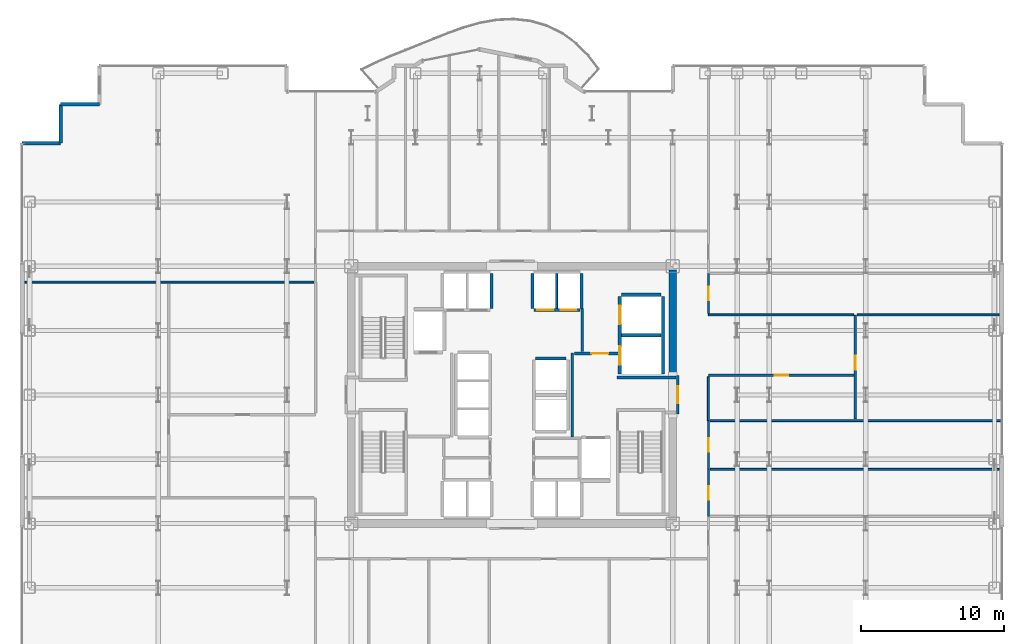
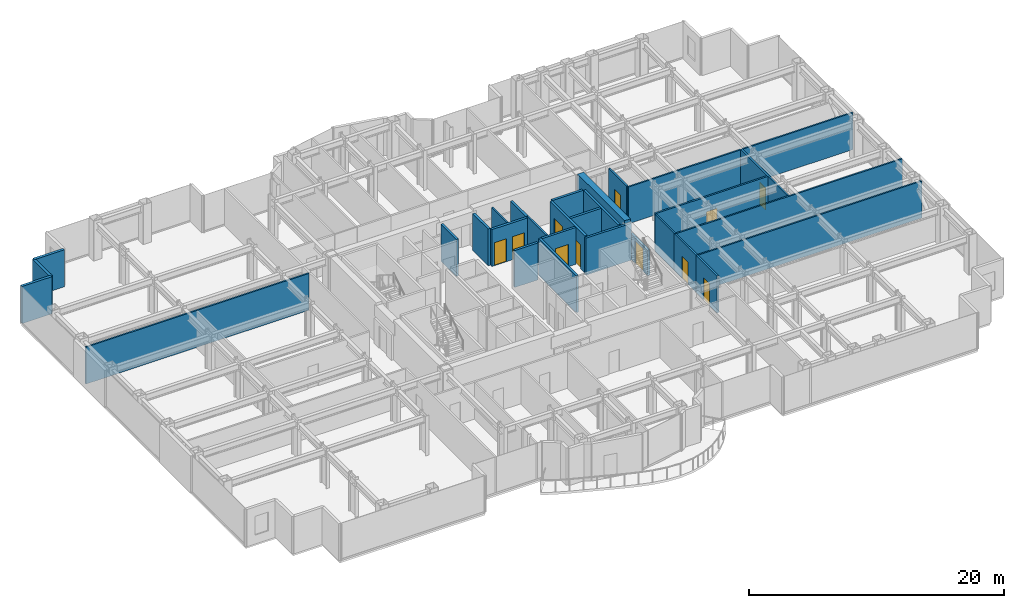
# One storey, part 25 of 29: 30 walls, 11 doors, 11 openings.
"""IFC4 building model written with IfcOpenShell, lengths in metres."""

from ifc_helpers import new_model, si_unit, direction, frame, frame_2d, origin, place, context, subcontext, project, spatial, rectangle, extrude, source, transform, mapped, material, layer, layer_set, type_object, element, fill, save


model = new_model("IFC4")

# Units and contexts
model_context = context("Model", 3, precision=1e-05, world=origin(), true_north=direction((0.0, 1.0)))
body_context = subcontext(model_context, "Body", "Model", "MODEL_VIEW")
ifc_project = project(units=[si_unit("LENGTHUNIT", "METRE"), si_unit("AREAUNIT", "SQUARE_METRE"), si_unit("VOLUMEUNIT", "CUBIC_METRE"), si_unit("PLANEANGLEUNIT", "RADIAN"), si_unit("MASSUNIT", "GRAM", prefix="KILO")], contexts=[model_context])

# Site, building, storey
site_placement = place(None, origin())
site = spatial("IfcSite", under=ifc_project, at=site_placement, CompositionType="ELEMENT")
building_placement = place(site_placement, origin())
building = spatial("IfcBuilding", under=site, at=building_placement, Name="Nefas-Gora Pilgrimage Tower", CompositionType="ELEMENT")
storey_placement = place(building_placement, frame((0.0, 0.0, 136.39990234375)))
storey = spatial("IfcBuildingStorey", under=building, at=storey_placement, Name="L33", CompositionType="ELEMENT", Elevation=136.39990234375)

# Walls
ifc_material_1 = material(Name="Concrete C60/75", Category="concrete")
ifc_layer_1 = layer(ifc_material_1, 0.550048828125)
ifc_layer_set_1 = layer_set([ifc_layer_1], Name="Concrete C60/75")
wall_type_1 = type_object("IfcWallType", Name="SW-CORE-550", PredefinedType="SHEAR", material=ifc_layer_set_1)
shared_shape_1 = source(origin(), body_context, "Body", "SweptSolid", [
    extrude(rectangle(XDim=7.375, YDim=0.550048828125, at=frame_2d((3.6875, 0.0))), origin(), (0.0, 0.0, 1.0), 3.800048828125),
])
wall_1_placement = place(storey_placement, frame((11.25, 1.35009765625, 0.0), z_axis=(0.0, 0.0, 1.0), x_axis=(0.0, 1.0, 0.0)))
element("IfcWall", 1, at=wall_1_placement, inside=storey, type_object=wall_type_1, Name="L33 Core Shear Wall E-North", PredefinedType="SHEAR", context=body_context, shape_type="MappedRepresentation", body=[
    mapped(shared_shape_1, transform((0.0, 0.0, 0.0), x_axis=(1.0, 0.0, 0.0), y_axis=(0.0, 1.0, 0.0), z_axis=(0.0, 0.0, 1.0), scale=1.0)),
])
ifc_material_2 = material(Name="Precast concrete C45/55", Category="concrete")
ifc_layer_2 = layer(ifc_material_2, 0.239990234375)
ifc_layer_set_2 = layer_set([ifc_layer_2], Name="Precast concrete C45/55")
wall_type_2 = type_object("IfcWallType", Name="EW-SERR-240", PredefinedType="SHEAR", material=ifc_layer_set_2)
shared_shape_2 = source(origin(), body_context, "Body", "SweptSolid", [
    extrude(rectangle(XDim=2.699951171875, YDim=0.239990234375, at=frame_2d((1.35009765625, 0.0))), origin(), (0.0, 0.0, 1.0), 3.550048828125),
])
for number, where, z_axis, x_axis, name in (
    (2, (-28.8701171875, 20.320068359375, 0.0), (0.0, 0.0, 1.0), (-1.0, 0.0, 0.0), "L33 Serrated Corner Shear Pier Wall 26"),
    (3, (-31.570068359375, 20.320068359375, 0.0), (0.0, 0.0, 1.0), (0.0, -1.0, 0.0), "L33 Serrated Corner Shear Pier Wall 27"),
    (4, (-31.570068359375, 17.6201171875, 0.0), (0.0, 0.0, 1.0), (-1.0, 0.0, 0.0), "L33 Serrated Corner Shear Pier Wall 28"),
):
    element("IfcWall", number, at=place(storey_placement, frame(where, z_axis=z_axis, x_axis=x_axis)), inside=storey, type_object=wall_type_2, Name=name, PredefinedType="SHEAR", context=body_context, shape_type="MappedRepresentation", body=[
        mapped(shared_shape_2, transform((0.0, 0.0, 0.0), x_axis=(1.0, 0.0, 0.0), y_axis=(0.0, 1.0, 0.0), z_axis=(0.0, 0.0, 1.0), scale=1.0)),
    ])

# Wall, openings, doors
ifc_material_3 = material(Name="Concrete C40/50", Category="concrete")
ifc_layer_3 = layer(ifc_material_3, 0.219970703125)
ifc_layer_set_3 = layer_set([ifc_layer_3], Name="Concrete C40/50")
wall_type_3 = type_object("IfcWallType", Name="IW-SHAFT-220", PredefinedType="SOLIDWALL", material=ifc_layer_set_3)
shared_shape_3 = source(origin(), body_context, "Body", "SweptSolid", [
    extrude(rectangle(XDim=5.449951171875, YDim=0.219970703125, at=frame_2d((2.72509765625, 0.0))), origin(), (0.0, 0.0, 1.0), 3.53515625),
])
wall_2_placement = place(storey_placement, frame((7.5400390625, 6.89990234375, 0.0), z_axis=(0.0, 0.0, 1.0), x_axis=(0.0, -1.0, 0.0)))
wall_2 = element("IfcWall", 5, at=wall_2_placement, inside=storey, type_object=wall_type_3, Name="L33 Hoistway Wall SL-01-02-W", PredefinedType="SOLIDWALL", context=body_context, shape_type="MappedRepresentation", body=[
    mapped(shared_shape_3, transform((0.0, 0.0, 0.0), x_axis=(1.0, 0.0, 0.0), y_axis=(0.0, 1.0, 0.0), z_axis=(0.0, 0.0, 1.0), scale=1.0)),
])
opening_1_placement = place(wall_2_placement, frame((3.5, 0.0, 0.0)))
opening_1 = element("IfcOpeningElement", 6, at=opening_1_placement, cuts=wall_2, Name="Opening LD-SV", PredefinedType="OPENING", context=body_context, shape_type="SweptSolid", body=[
    extrude(rectangle(XDim=1.300048828125, YDim=2.300048828125, at=frame_2d((0.64990234375, 1.14990234375))), frame((0.0, 0.119873046875, 0.0), z_axis=(0.0, -1.0, 0.0), x_axis=(1.0, 0.0, 0.0)), (0.0, 0.0, 1.0), 0.239990234375),
])
opening_2_placement = place(wall_2_placement, frame((0.64990234375, 0.0, 0.0)))
opening_2 = element("IfcOpeningElement", 7, at=opening_2_placement, cuts=wall_2, Name="Opening LD-SV", PredefinedType="OPENING", context=body_context, shape_type="SweptSolid", body=[
    extrude(rectangle(XDim=1.300048828125, YDim=2.300048828125, at=frame_2d((0.64990234375, 1.14990234375))), frame((0.0, 0.119873046875, 0.0), z_axis=(0.0, -1.0, 0.0), x_axis=(1.0, 0.0, 0.0)), (0.0, 0.0, 1.0), 0.239990234375),
])
ifc_material_4 = material(Name="Heavy goods sliding lift landing door")
door_type_1 = type_object("IfcDoorType", Name="DR-LIFT-SERV-1300", OperationType="SLIDING_TO_RIGHT", PredefinedType="DOOR", material=ifc_material_4)
shared_shape_4 = source(origin(), body_context, "Body", "SweptSolid", [
    extrude(rectangle(XDim=1.300048828125, YDim=2.300048828125, at=frame_2d((0.64990234375, 1.14990234375))), frame((0.0, 0.02490234375, 0.0), z_axis=(0.0, -1.0, 0.0), x_axis=(1.0, 0.0, 0.0)), (0.0, 0.0, 1.0), 0.050048828125),
])
door_1_placement = place(opening_1_placement, origin())
door_1 = element("IfcDoor", 8, at=door_1_placement, inside=storey, type_object=door_type_1, Name="L33 Sliding Lift Landing Door SL-01", OperationType="SLIDING_TO_RIGHT", OverallHeight=2.300048828125, OverallWidth=1.300048828125, PredefinedType="DOOR", context=body_context, shape_type="MappedRepresentation", body=[
    mapped(shared_shape_4, transform((0.0, 0.0, 0.0), x_axis=(1.0, 0.0, 0.0), y_axis=(0.0, 1.0, 0.0), z_axis=(0.0, 0.0, 1.0), scale=1.0)),
])
fill(opening_1, door_1)
door_2_placement = place(opening_2_placement, origin())
door_2 = element("IfcDoor", 9, at=door_2_placement, inside=storey, type_object=door_type_1, Name="L33 Sliding Lift Landing Door SL-02", OperationType="SLIDING_TO_RIGHT", OverallHeight=2.300048828125, OverallWidth=1.300048828125, PredefinedType="DOOR", context=body_context, shape_type="MappedRepresentation", body=[
    mapped(shared_shape_4, transform((0.0, 0.0, 0.0), x_axis=(1.0, 0.0, 0.0), y_axis=(0.0, 1.0, 0.0), z_axis=(0.0, 0.0, 1.0), scale=1.0)),
])
fill(opening_2, door_2)

# Walls
wall_3_placement = place(storey_placement, frame((10.56005859375, 1.449951171875, 0.0), z_axis=(0.0, 0.0, 1.0), x_axis=(0.0, 1.0, 0.0)))
element("IfcWall", 10, at=wall_3_placement, inside=storey, type_object=wall_type_3, Name="L33 Hoistway Wall SL-01-02-E", PredefinedType="SOLIDWALL", context=body_context, shape_type="MappedRepresentation", body=[
    mapped(shared_shape_3, transform((0.0, 0.0, 0.0), x_axis=(1.0, 0.0, 0.0), y_axis=(0.0, 1.0, 0.0), z_axis=(0.0, 0.0, 1.0), scale=1.0)),
])
shared_shape_5 = source(origin(), body_context, "Body", "SweptSolid", [
    extrude(rectangle(XDim=2.780029296875, YDim=0.219970703125, at=frame_2d((1.39013671875, 0.0))), origin(), (0.0, 0.0, 1.0), 3.53515625),
])
for number, where, z_axis, x_axis, name in (
    (11, (7.659912109375, 4.175048828125, 0.0), (0.0, 0.0, 1.0), (1.0, 0.0, 0.0), "L33 Hoistway Wall SL-01-02-DIV"),
    (12, (10.43994140625, 7.010009765625, 0.0), (0.0, 0.0, 1.0), (-1.0, 0.0, 0.0), "L33 Hoistway Wall SL-02-N"),
):
    element("IfcWall", number, at=place(storey_placement, frame(where, z_axis=z_axis, x_axis=x_axis)), inside=storey, type_object=wall_type_3, Name=name, PredefinedType="SOLIDWALL", context=body_context, shape_type="MappedRepresentation", body=[
        mapped(shared_shape_5, transform((0.0, 0.0, 0.0), x_axis=(1.0, 0.0, 0.0), y_axis=(0.0, 1.0, 0.0), z_axis=(0.0, 0.0, 1.0), scale=1.0)),
    ])

# Wall, openings, doors
shared_shape_6 = source(origin(), body_context, "Body", "SweptSolid", [
    extrude(rectangle(XDim=3.199951171875, YDim=0.219970703125, at=frame_2d((1.60009765625, 0.0))), origin(), (0.0, 0.0, 1.0), 3.53515625),
])
wall_4_placement = place(storey_placement, frame((1.550048828125, 5.93994140625, 0.0), z_axis=(0.0, 0.0, 1.0), x_axis=(1.0, 0.0, 0.0)))
wall_4 = element("IfcWall", 13, at=wall_4_placement, inside=storey, type_object=wall_type_3, Name="L33 Hoistway Wall PL1-E-S", PredefinedType="SOLIDWALL", context=body_context, shape_type="MappedRepresentation", body=[
    mapped(shared_shape_6, transform((0.0, 0.0, 0.0), x_axis=(1.0, 0.0, 0.0), y_axis=(0.0, 1.0, 0.0), z_axis=(0.0, 0.0, 1.0), scale=1.0)),
])
opening_3_placement = place(wall_4_placement, frame((0.22509765625, 0.0, 0.0)))
opening_3 = element("IfcOpeningElement", 14, at=opening_3_placement, cuts=wall_4, Name="Opening LD-01", PredefinedType="OPENING", context=body_context, shape_type="SweptSolid", body=[
    extrude(rectangle(XDim=1.10009765625, YDim=2.199951171875, at=frame_2d((0.550048828125, 1.10009765625))), frame((0.0, 0.119873046875, 0.0), z_axis=(0.0, -1.0, 0.0), x_axis=(1.0, 0.0, 0.0)), (0.0, 0.0, 1.0), 0.239990234375),
])
opening_4_placement = place(wall_4_placement, frame((1.85009765625, 0.0, 0.0)))
opening_4 = element("IfcOpeningElement", 15, at=opening_4_placement, cuts=wall_4, Name="Opening LD-01", PredefinedType="OPENING", context=body_context, shape_type="SweptSolid", body=[
    extrude(rectangle(XDim=1.10009765625, YDim=2.199951171875, at=frame_2d((0.550048828125, 1.10009765625))), frame((0.0, 0.119873046875, 0.0), z_axis=(0.0, -1.0, 0.0), x_axis=(1.0, 0.0, 0.0)), (0.0, 0.0, 1.0), 0.239990234375),
])
ifc_material_5 = material(Name="Brushed stainless sliding lift landing door")
door_type_2 = type_object("IfcDoorType", Name="DR-LIFT-PASS-1100", OperationType="DOUBLE_DOOR_SLIDING", PredefinedType="DOOR", material=ifc_material_5)
shared_shape_7 = source(origin(), body_context, "Body", "SweptSolid", [
    extrude(rectangle(XDim=1.10009765625, YDim=2.199951171875, at=frame_2d((0.550048828125, 1.10009765625))), frame((0.0, 0.02490234375, 0.0), z_axis=(0.0, -1.0, 0.0), x_axis=(1.0, 0.0, 0.0)), (0.0, 0.0, 1.0), 0.050048828125),
])
door_3_placement = place(opening_3_placement, origin())
door_3 = element("IfcDoor", 16, at=door_3_placement, inside=storey, type_object=door_type_2, Name="L33 Sliding Lift Landing Door PL1-03", OperationType="DOUBLE_DOOR_SLIDING", OverallHeight=2.199951171875, OverallWidth=1.10009765625, PredefinedType="DOOR", context=body_context, shape_type="MappedRepresentation", body=[
    mapped(shared_shape_7, transform((0.0, 0.0, 0.0), x_axis=(1.0, 0.0, 0.0), y_axis=(0.0, 1.0, 0.0), z_axis=(0.0, 0.0, 1.0), scale=1.0)),
])
fill(opening_3, door_3)
door_4_placement = place(opening_4_placement, origin())
door_4 = element("IfcDoor", 17, at=door_4_placement, inside=storey, type_object=door_type_2, Name="L33 Sliding Lift Landing Door PL1-04", OperationType="DOUBLE_DOOR_SLIDING", OverallHeight=2.199951171875, OverallWidth=1.10009765625, PredefinedType="DOOR", context=body_context, shape_type="MappedRepresentation", body=[
    mapped(shared_shape_7, transform((0.0, 0.0, 0.0), x_axis=(1.0, 0.0, 0.0), y_axis=(0.0, 1.0, 0.0), z_axis=(0.0, 0.0, 1.0), scale=1.0)),
])
fill(opening_4, door_4)

# Walls
shared_shape_8 = source(origin(), body_context, "Body", "SweptSolid", [
    extrude(rectangle(XDim=2.429931640625, YDim=0.219970703125, at=frame_2d((1.21484375, 0.0))), origin(), (0.0, 0.0, 1.0), 3.53515625),
])
for number, where, z_axis, x_axis, name in (
    (18, (-1.43994140625, 6.06005859375, 0.0), (0.0, 0.0, 1.0), (0.0, 1.0, 0.0), "L33 Hoistway Wall PL1-W-E"),
    (19, (1.43994140625, 8.489990234375, 0.0), (0.0, 0.0, 1.0), (0.0, -1.0, 0.0), "L33 Hoistway Wall PL1-E-W"),
    (20, (4.860107421875, 6.06005859375, 0.0), (0.0, 0.0, 1.0), (0.0, 1.0, 0.0), "L33 Hoistway Wall PL1-E-E"),
):
    element("IfcWall", number, at=place(storey_placement, frame(where, z_axis=z_axis, x_axis=x_axis)), inside=storey, type_object=wall_type_3, Name=name, PredefinedType="SOLIDWALL", context=body_context, shape_type="MappedRepresentation", body=[
        mapped(shared_shape_8, transform((0.0, 0.0, 0.0), x_axis=(1.0, 0.0, 0.0), y_axis=(0.0, 1.0, 0.0), z_axis=(0.0, 0.0, 1.0), scale=1.0)),
    ])
ifc_material_6 = material(Name="Gypsum twin-stud partition")
ifc_layer_4 = layer(ifc_material_6, 0.139892578125)
ifc_layer_set_4 = layer_set([ifc_layer_4], Name="Gypsum twin-stud partition")
wall_type_4 = type_object("IfcWallType", Name="IW-UNIT-140", PredefinedType="PARTITIONING", material=ifc_layer_set_4)
shared_shape_9 = source(origin(), body_context, "Body", "SweptSolid", [
    extrude(rectangle(XDim=2.429931640625, YDim=0.139892578125, at=frame_2d((1.21484375, 0.0))), origin(), (0.0, 0.0, 1.0), 3.53515625),
])
wall_5_placement = place(storey_placement, frame((3.125, 6.06005859375, 0.0), z_axis=(0.0, 0.0, 1.0), x_axis=(0.0, 1.0, 0.0)))
element("IfcWall", 21, at=wall_5_placement, inside=storey, type_object=wall_type_4, Name="L33 Hoistway Wall PL1-E-DIV", PredefinedType="PARTITIONING", context=body_context, shape_type="MappedRepresentation", body=[
    mapped(shared_shape_9, transform((0.0, 0.0, 0.0), x_axis=(1.0, 0.0, 0.0), y_axis=(0.0, 1.0, 0.0), z_axis=(0.0, 0.0, 1.0), scale=1.0)),
])
shared_shape_10 = source(origin(), body_context, "Body", "SweptSolid", [
    extrude(rectangle(XDim=2.130126953125, YDim=0.219970703125, at=frame_2d((1.06494140625, 0.0))), origin(), (0.0, 0.0, 1.0), 3.53515625),
])
wall_6_placement = place(storey_placement, frame((3.7900390625, 2.56005859375, 0.0), z_axis=(0.0, 0.0, 1.0), x_axis=(-1.0, 0.0, 0.0)))
element("IfcWall", 22, at=wall_6_placement, inside=storey, type_object=wall_type_3, Name="L33 Hoistway Wall OBS-02-N", PredefinedType="SOLIDWALL", context=body_context, shape_type="MappedRepresentation", body=[
    mapped(shared_shape_10, transform((0.0, 0.0, 0.0), x_axis=(1.0, 0.0, 0.0), y_axis=(0.0, 1.0, 0.0), z_axis=(0.0, 0.0, 1.0), scale=1.0)),
])

# Wall, opening, door
ifc_material_7 = material(Name="Gypsum fire-rated shaftwall")
ifc_layer_5 = layer(ifc_material_7, 0.199951171875)
ifc_layer_set_5 = layer_set([ifc_layer_5], Name="Gypsum fire-rated shaftwall")
wall_type_5 = type_object("IfcWallType", Name="IW-FFLOB-200", PredefinedType="PARTITIONING", material=ifc_layer_set_5)
shared_shape_11 = source(origin(), body_context, "Body", "SweptSolid", [
    extrude(rectangle(XDim=2.7001953125, YDim=0.199951171875, at=frame_2d((1.35009765625, 0.0))), origin(), (0.0, 0.0, 1.0), 2.425048828125),
])
wall_7_placement = place(storey_placement, frame((11.60009765625, -1.35009765625, 0.0), z_axis=(0.0, 0.0, 1.0), x_axis=(0.0, 1.0, 0.0)))
wall_7 = element("IfcWall", 23, at=wall_7_placement, inside=storey, type_object=wall_type_5, Name="L33 FF Lobby East Portal Wall 8", PredefinedType="PARTITIONING", context=body_context, shape_type="MappedRepresentation", body=[
    mapped(shared_shape_11, transform((0.0, 0.0, 0.0), x_axis=(1.0, 0.0, 0.0), y_axis=(0.0, 1.0, 0.0), z_axis=(0.0, 0.0, 1.0), scale=1.0)),
])
opening_5_placement = place(wall_7_placement, frame((0.75, 0.0, 0.0)))
opening_5 = element("IfcOpeningElement", 24, at=opening_5_placement, cuts=wall_7, Name="Opening ID-FF1", PredefinedType="OPENING", context=body_context, shape_type="SweptSolid", body=[
    extrude(rectangle(XDim=1.199951171875, YDim=2.14990234375, at=frame_2d((0.60009765625, 1.074951171875))), frame((0.0, 0.10986328125, 0.0), z_axis=(0.0, -1.0, 0.0), x_axis=(1.0, 0.0, 0.0)), (0.0, 0.0, 1.0), 0.219970703125),
])
ifc_material_8 = material(Name="Smoke-sealed steel firefighting lobby door", Category="steel")
door_type_3 = type_object("IfcDoorType", Name="DR-INT-FFLOB-1200", OperationType="NOTDEFINED", PredefinedType="DOOR", material=ifc_material_8)
shared_shape_12 = source(origin(), body_context, "Body", "SweptSolid", [
    extrude(rectangle(XDim=1.199951171875, YDim=2.14990234375, at=frame_2d((0.60009765625, 1.074951171875))), frame((0.0, 0.02490234375, 0.0), z_axis=(0.0, -1.0, 0.0), x_axis=(1.0, 0.0, 0.0)), (0.0, 0.0, 1.0), 0.050048828125),
])
door_5_placement = place(opening_5_placement, origin())
door_5 = element("IfcDoor", 25, at=door_5_placement, inside=storey, type_object=door_type_3, Name="L33 FF Lobby East Portal Door 2", OperationType="SINGLE_SWING_RIGHT", OverallHeight=2.14990234375, OverallWidth=1.199951171875, PredefinedType="DOOR", context=body_context, shape_type="MappedRepresentation", body=[
    mapped(shared_shape_12, transform((0.0, 0.0, 0.0), x_axis=(1.0, 0.0, 0.0), y_axis=(0.0, 1.0, 0.0), z_axis=(0.0, 0.0, 1.0), scale=1.0)),
])
fill(opening_5, door_5)

# Wall
shared_shape_13 = source(origin(), body_context, "Body", "SweptSolid", [
    extrude(rectangle(XDim=5.89990234375, YDim=0.199951171875, at=frame_2d((2.949951171875, 0.0))), origin(), (0.0, 0.0, 1.0), 3.53515625),
])
wall_8_placement = place(storey_placement, frame((4.219970703125, -2.949951171875, 0.0), z_axis=(0.0, 0.0, 1.0), x_axis=(0.0, 1.0, 0.0)))
element("IfcWall", 26, at=wall_8_placement, inside=storey, type_object=wall_type_5, Name="L33 FF Lobby East Inner Wall Wall 9", PredefinedType="PARTITIONING", context=body_context, shape_type="MappedRepresentation", body=[
    mapped(shared_shape_13, transform((0.0, 0.0, 0.0), x_axis=(1.0, 0.0, 0.0), y_axis=(0.0, 1.0, 0.0), z_axis=(0.0, 0.0, 1.0), scale=1.0)),
])

# Wall, opening, door
shared_shape_14 = source(origin(), body_context, "Body", "SweptSolid", [
    extrude(rectangle(XDim=3.039794921875, YDim=0.199951171875, at=frame_2d((1.52001953125, 0.0))), origin(), (0.0, 0.0, 1.0), 3.53515625),
])
wall_9_placement = place(storey_placement, frame((4.360107421875, 2.89990234375, 0.0), z_axis=(0.0, 0.0, 1.0), x_axis=(1.0, 0.0, 0.0)))
wall_9 = element("IfcWall", 27, at=wall_9_placement, inside=storey, type_object=wall_type_5, Name="L33 FF Lobby East North Wall Wall 10", PredefinedType="PARTITIONING", context=body_context, shape_type="MappedRepresentation", body=[
    mapped(shared_shape_14, transform((0.0, 0.0, 0.0), x_axis=(1.0, 0.0, 0.0), y_axis=(0.0, 1.0, 0.0), z_axis=(0.0, 0.0, 1.0), scale=1.0)),
])
opening_6_placement = place(wall_9_placement, frame((1.18994140625, 0.0, 0.0)))
opening_6 = element("IfcOpeningElement", 28, at=opening_6_placement, cuts=wall_9, Name="Opening ID-PL1", PredefinedType="OPENING", context=body_context, shape_type="SweptSolid", body=[
    extrude(rectangle(XDim=1.199951171875, YDim=2.14990234375, at=frame_2d((0.60009765625, 1.074951171875))), frame((0.0, 0.10986328125, 0.0), z_axis=(0.0, -1.0, 0.0), x_axis=(1.0, 0.0, 0.0)), (0.0, 0.0, 1.0), 0.219970703125),
])
ifc_material_9 = material(Name="Heavy-duty steel plant room fire door", Category="steel")
door_type_4 = type_object("IfcDoorType", Name="DR-INT-PLANT-1200", OperationType="NOTDEFINED", PredefinedType="DOOR", material=ifc_material_9)
door_6_placement = place(opening_6_placement, origin())
door_6 = element("IfcDoor", 29, at=door_6_placement, inside=storey, type_object=door_type_4, Name="L33 Service Lift Lobby Door Door 3", OperationType="SINGLE_SWING_LEFT", OverallHeight=2.14990234375, OverallWidth=1.199951171875, PredefinedType="DOOR", context=body_context, shape_type="MappedRepresentation", body=[
    mapped(shared_shape_12, transform((0.0, 0.0, 0.0), x_axis=(1.0, 0.0, 0.0), y_axis=(0.0, 1.0, 0.0), z_axis=(0.0, 0.0, 1.0), scale=1.0)),
])
fill(opening_6, door_6)

# Walls
shared_shape_15 = source(origin(), body_context, "Body", "SweptSolid", [
    extrude(rectangle(XDim=4.10986328125, YDim=0.199951171875, at=frame_2d((2.054931640625, 0.0))), origin(), (0.0, 0.0, 1.0), 3.53515625),
])
wall_10_placement = place(storey_placement, frame((7.35009765625, 1.219970703125, 0.0), z_axis=(0.0, 0.0, 1.0), x_axis=(1.0, 0.0, 0.0)))
element("IfcWall", 30, at=wall_10_placement, inside=storey, type_object=wall_type_5, Name="L33 FF Lobby East Throat N Wall 11", PredefinedType="PARTITIONING", context=body_context, shape_type="MappedRepresentation", body=[
    mapped(shared_shape_15, transform((0.0, 0.0, 0.0), x_axis=(1.0, 0.0, 0.0), y_axis=(0.0, 1.0, 0.0), z_axis=(0.0, 0.0, 1.0), scale=1.0)),
])
ifc_material_10 = material(Name="Gypsum acoustic stud partition")
ifc_layer_6 = layer(ifc_material_10, 0.159912109375)
ifc_layer_set_6 = layer_set([ifc_layer_6], Name="Gypsum acoustic stud partition")
wall_type_6 = type_object("IfcWallType", Name="IW-CORR-160", PredefinedType="PARTITIONING", material=ifc_layer_set_6)
shared_shape_16 = source(origin(), body_context, "Body", "SweptSolid", [
    extrude(rectangle(XDim=3.014892578125, YDim=0.159912109375, at=frame_2d((1.50732421875, 0.0))), origin(), (0.0, 0.0, 1.0), 3.53515625),
])
wall_11_placement = place(storey_placement, frame((4.919921875, 3.0400390625, 0.0), z_axis=(0.0, 0.0, 1.0), x_axis=(0.0, 1.0, 0.0)))
element("IfcWall", 31, at=wall_11_placement, inside=storey, type_object=wall_type_6, Name="L33 Service Lift Lobby West Wall Wall 15", PredefinedType="PARTITIONING", context=body_context, shape_type="MappedRepresentation", body=[
    mapped(shared_shape_16, transform((0.0, 0.0, 0.0), x_axis=(1.0, 0.0, 0.0), y_axis=(0.0, 1.0, 0.0), z_axis=(0.0, 0.0, 1.0), scale=1.0)),
])
shared_shape_17 = source(origin(), body_context, "Body", "SweptSolid", [
    extrude(rectangle(XDim=20.219970703125, YDim=0.139892578125, at=frame_2d((10.10986328125, 0.0))), origin(), (0.0, 0.0, 1.0), 3.53515625),
])
for number, where, z_axis, x_axis, name in (
    (32, (-34.080078125, 7.8974609375, 0.0), (0.0, 0.0, 1.0), (1.0, 0.0, 0.0), "L33 Pilgrim Devotional Prayer Gallery Partition Wall 31"),
    (33, (13.860107421875, -5.205078125, 0.0), (0.0, 0.0, 1.0), (1.0, 0.0, 0.0), "L33 Pilgrim Tea and Beverage Pantry Partition Wall 38"),
):
    element("IfcWall", number, at=place(storey_placement, frame(where, z_axis=z_axis, x_axis=x_axis)), inside=storey, type_object=wall_type_4, Name=name, PredefinedType="PARTITIONING", context=body_context, shape_type="MappedRepresentation", body=[
        mapped(shared_shape_17, transform((0.0, 0.0, 0.0), x_axis=(1.0, 0.0, 0.0), y_axis=(0.0, 1.0, 0.0), z_axis=(0.0, 0.0, 1.0), scale=1.0)),
    ])

# Wall, opening, door
shared_shape_18 = source(origin(), body_context, "Body", "SweptSolid", [
    extrude(rectangle(XDim=10.25, YDim=0.159912109375, at=frame_2d((5.125, 0.0))), origin(), (0.0, 0.0, 1.0), 3.53515625),
])
wall_12_placement = place(storey_placement, frame((13.72998046875, 1.3798828125, 0.0), z_axis=(0.0, 0.0, 1.0), x_axis=(1.0, 0.0, 0.0)))
wall_12 = element("IfcWall", 34, at=wall_12_placement, inside=storey, type_object=wall_type_6, Name="L33 Pilgrim Fellowship Seminar Room Partition Wall 41", PredefinedType="PARTITIONING", context=body_context, shape_type="MappedRepresentation", body=[
    mapped(shared_shape_18, transform((0.0, 0.0, 0.0), x_axis=(1.0, 0.0, 0.0), y_axis=(0.0, 1.0, 0.0), z_axis=(0.0, 0.0, 1.0), scale=1.0)),
])
opening_7_placement = place(wall_12_placement, frame((4.64990234375, 0.0, 0.0)))
opening_7 = element("IfcOpeningElement", 35, at=opening_7_placement, cuts=wall_12, Name="Opening ID-GR1", PredefinedType="OPENING", context=body_context, shape_type="SweptSolid", body=[
    extrude(rectangle(XDim=0.949951171875, YDim=2.10009765625, at=frame_2d((0.47509765625, 1.050048828125))), frame((0.0, 0.08984375, 0.0), z_axis=(0.0, -1.0, 0.0), x_axis=(1.0, 0.0, 0.0)), (0.0, 0.0, 1.0), 0.179931640625),
])
ifc_material_11 = material(Name="Solid core oak fire-rated guest entrance door")
door_type_5 = type_object("IfcDoorType", Name="DR-INT-GUEST-950", OperationType="NOTDEFINED", PredefinedType="DOOR", material=ifc_material_11)
shared_shape_19 = source(origin(), body_context, "Body", "SweptSolid", [
    extrude(rectangle(XDim=0.949951171875, YDim=2.10009765625, at=frame_2d((0.47509765625, 1.050048828125))), frame((0.0, 0.02490234375, 0.0), z_axis=(0.0, -1.0, 0.0), x_axis=(1.0, 0.0, 0.0)), (0.0, 0.0, 1.0), 0.050048828125),
])
door_7_placement = place(opening_7_placement, origin())
door_7 = element("IfcDoor", 36, at=door_7_placement, inside=storey, type_object=door_type_5, Name="L33 Pilgrim Fellowship Seminar Room Door 18", OperationType="SINGLE_SWING_RIGHT", OverallHeight=2.10009765625, OverallWidth=0.949951171875, PredefinedType="DOOR", context=body_context, shape_type="MappedRepresentation", body=[
    mapped(shared_shape_19, transform((0.0, 0.0, 0.0), x_axis=(1.0, 0.0, 0.0), y_axis=(0.0, 1.0, 0.0), z_axis=(0.0, 0.0, 1.0), scale=1.0)),
])
fill(opening_7, door_7)

# Walls
shared_shape_20 = source(origin(), body_context, "Body", "SweptSolid", [
    extrude(rectangle(XDim=10.169921875, YDim=0.139892578125, at=frame_2d((5.0849609375, 0.0))), origin(), (0.0, 0.0, 1.0), 3.53515625),
])
wall_13_placement = place(storey_placement, frame((13.72998046875, 5.594970703125, 0.0), z_axis=(0.0, 0.0, 1.0), x_axis=(1.0, 0.0, 0.0)))
element("IfcWall", 37, at=wall_13_placement, inside=storey, type_object=wall_type_4, Name="L33 Pilgrim Contemplative Lounge Partition Wall 44", PredefinedType="PARTITIONING", context=body_context, shape_type="MappedRepresentation", body=[
    mapped(shared_shape_20, transform((0.0, 0.0, 0.0), x_axis=(1.0, 0.0, 0.0), y_axis=(0.0, 1.0, 0.0), z_axis=(0.0, 0.0, 1.0), scale=1.0)),
])
shared_shape_21 = source(origin(), body_context, "Body", "SweptSolid", [
    extrude(rectangle(XDim=9.940185546875, YDim=0.139892578125, at=frame_2d((4.97021484375, 0.0))), origin(), (0.0, 0.0, 1.0), 3.53515625),
])
wall_14_placement = place(storey_placement, frame((24.139892578125, 5.594970703125, 0.0), z_axis=(0.0, 0.0, 1.0), x_axis=(1.0, 0.0, 0.0)))
element("IfcWall", 38, at=wall_14_placement, inside=storey, type_object=wall_type_4, Name="L33 Pilgrim Contemplative Lounge Partition Wall 45", PredefinedType="PARTITIONING", context=body_context, shape_type="MappedRepresentation", body=[
    mapped(shared_shape_21, transform((0.0, 0.0, 0.0), x_axis=(1.0, 0.0, 0.0), y_axis=(0.0, 1.0, 0.0), z_axis=(0.0, 0.0, 1.0), scale=1.0)),
])
shared_shape_22 = source(origin(), body_context, "Body", "SweptSolid", [
    extrude(rectangle(XDim=20.429931640625, YDim=0.139892578125, at=frame_2d((10.21484375, 0.0))), origin(), (0.0, 0.0, 1.0), 3.53515625),
])
wall_15_placement = place(storey_placement, frame((13.860107421875, -1.804931640625, 0.0), z_axis=(0.0, 0.0, 1.0), x_axis=(1.0, 0.0, 0.0)))
element("IfcWall", 39, at=wall_15_placement, inside=storey, type_object=wall_type_4, Name="L33 Pilgrim Tea and Beverage Pantry Partition Wall 40", PredefinedType="PARTITIONING", context=body_context, shape_type="MappedRepresentation", body=[
    mapped(shared_shape_22, transform((0.0, 0.0, 0.0), x_axis=(1.0, 0.0, 0.0), y_axis=(0.0, 1.0, 0.0), z_axis=(0.0, 0.0, 1.0), scale=1.0)),
])

# Wall, opening, door
shared_shape_23 = source(origin(), body_context, "Body", "SweptSolid", [
    extrude(rectangle(XDim=3.309814453125, YDim=0.159912109375, at=frame_2d((1.65478515625, 0.0))), origin(), (0.0, 0.0, 1.0), 3.53515625),
])
wall_16_placement = place(storey_placement, frame((13.739990234375, -8.5048828125, 0.0), z_axis=(0.0, 0.0, 1.0), x_axis=(0.0, 1.0, 0.0)))
wall_16 = element("IfcWall", 40, at=wall_16_placement, inside=storey, type_object=wall_type_6, Name="L33 Pilgrim Tea and Beverage Pantry Partition Wall 37", PredefinedType="PARTITIONING", context=body_context, shape_type="MappedRepresentation", body=[
    mapped(shared_shape_23, transform((0.0, 0.0, 0.0), x_axis=(1.0, 0.0, 0.0), y_axis=(0.0, 1.0, 0.0), z_axis=(0.0, 0.0, 1.0), scale=1.0)),
])
opening_8_placement = place(wall_16_placement, frame((1.179931640625, 0.0, 0.0)))
opening_8 = element("IfcOpeningElement", 41, at=opening_8_placement, cuts=wall_16, Name="Opening ID-GR1", PredefinedType="OPENING", context=body_context, shape_type="SweptSolid", body=[
    extrude(rectangle(XDim=0.949951171875, YDim=2.10009765625, at=frame_2d((0.47509765625, 1.050048828125))), frame((0.0, 0.08984375, 0.0), z_axis=(0.0, -1.0, 0.0), x_axis=(1.0, 0.0, 0.0)), (0.0, 0.0, 1.0), 0.179931640625),
])
door_8_placement = place(opening_8_placement, origin())
door_8 = element("IfcDoor", 42, at=door_8_placement, inside=storey, type_object=door_type_5, Name="L33 Pilgrim Tea and Beverage Pantry Door 16", OperationType="SINGLE_SWING_RIGHT", OverallHeight=2.10009765625, OverallWidth=0.949951171875, PredefinedType="DOOR", context=body_context, shape_type="MappedRepresentation", body=[
    mapped(shared_shape_19, transform((0.0, 0.0, 0.0), x_axis=(1.0, 0.0, 0.0), y_axis=(0.0, 1.0, 0.0), z_axis=(0.0, 0.0, 1.0), scale=1.0)),
])
fill(opening_8, door_8)

shared_shape_24 = source(origin(), body_context, "Body", "SweptSolid", [
    extrude(rectangle(XDim=3.41015625, YDim=0.159912109375, at=frame_2d((1.705078125, 0.0))), origin(), (0.0, 0.0, 1.0), 3.53515625),
])
wall_17_placement = place(storey_placement, frame((13.739990234375, -5.205078125, 0.0), z_axis=(0.0, 0.0, 1.0), x_axis=(0.0, 1.0, 0.0)))
wall_17 = element("IfcWall", 43, at=wall_17_placement, inside=storey, type_object=wall_type_6, Name="L33 Pilgrim Tea and Beverage Pantry Partition Wall 39", PredefinedType="PARTITIONING", context=body_context, shape_type="MappedRepresentation", body=[
    mapped(shared_shape_24, transform((0.0, 0.0, 0.0), x_axis=(1.0, 0.0, 0.0), y_axis=(0.0, 1.0, 0.0), z_axis=(0.0, 0.0, 1.0), scale=1.0)),
])
opening_9_placement = place(wall_17_placement, frame((1.22998046875, 0.0, 0.0)))
opening_9 = element("IfcOpeningElement", 44, at=opening_9_placement, cuts=wall_17, Name="Opening ID-GR1", PredefinedType="OPENING", context=body_context, shape_type="SweptSolid", body=[
    extrude(rectangle(XDim=0.949951171875, YDim=2.10009765625, at=frame_2d((0.47509765625, 1.050048828125))), frame((0.0, 0.08984375, 0.0), z_axis=(0.0, -1.0, 0.0), x_axis=(1.0, 0.0, 0.0)), (0.0, 0.0, 1.0), 0.179931640625),
])
door_9_placement = place(opening_9_placement, origin())
door_9 = element("IfcDoor", 45, at=door_9_placement, inside=storey, type_object=door_type_5, Name="L33 Pilgrim Tea and Beverage Pantry Door 17", OperationType="SINGLE_SWING_LEFT", OverallHeight=2.10009765625, OverallWidth=0.949951171875, PredefinedType="DOOR", context=body_context, shape_type="MappedRepresentation", body=[
    mapped(shared_shape_19, transform((0.0, 0.0, 0.0), x_axis=(1.0, 0.0, 0.0), y_axis=(0.0, 1.0, 0.0), z_axis=(0.0, 0.0, 1.0), scale=1.0)),
])
fill(opening_9, door_9)

# Wall
shared_shape_25 = source(origin(), body_context, "Body", "SweptSolid", [
    extrude(rectangle(XDim=3.06494140625, YDim=0.139892578125, at=frame_2d((1.532470703125, 0.0))), origin(), (0.0, 0.0, 1.0), 3.53515625),
])
wall_18_placement = place(storey_placement, frame((13.739990234375, -1.804931640625, 0.0), z_axis=(0.0, 0.0, 1.0), x_axis=(0.0, 1.0, 0.0)))
element("IfcWall", 46, at=wall_18_placement, inside=storey, type_object=wall_type_4, Name="L33 Pilgrim Fellowship Seminar Room Partition Wall 42", PredefinedType="PARTITIONING", context=body_context, shape_type="MappedRepresentation", body=[
    mapped(shared_shape_25, transform((0.0, 0.0, 0.0), x_axis=(1.0, 0.0, 0.0), y_axis=(0.0, 1.0, 0.0), z_axis=(0.0, 0.0, 1.0), scale=1.0)),
])

# Wall, opening, door
shared_shape_26 = source(origin(), body_context, "Body", "SweptSolid", [
    extrude(rectangle(XDim=7.300048828125, YDim=0.159912109375, at=frame_2d((3.64990234375, 0.0))), origin(), (0.0, 0.0, 1.0), 3.53515625),
])
wall_19_placement = place(storey_placement, frame((24.02001953125, -1.695068359375, 0.0), z_axis=(0.0, 0.0, 1.0), x_axis=(0.0, 1.0, 0.0)))
wall_19 = element("IfcWall", 47, at=wall_19_placement, inside=storey, type_object=wall_type_6, Name="L33 Pilgrim Contemplative Lounge Partition Wall 43", PredefinedType="PARTITIONING", context=body_context, shape_type="MappedRepresentation", body=[
    mapped(shared_shape_26, transform((0.0, 0.0, 0.0), x_axis=(1.0, 0.0, 0.0), y_axis=(0.0, 1.0, 0.0), z_axis=(0.0, 0.0, 1.0), scale=1.0)),
])
opening_10_placement = place(wall_19_placement, frame((3.469970703125, 0.0, 0.0)))
opening_10 = element("IfcOpeningElement", 48, at=opening_10_placement, cuts=wall_19, Name="Opening ID-GR1", PredefinedType="OPENING", context=body_context, shape_type="SweptSolid", body=[
    extrude(rectangle(XDim=0.949951171875, YDim=2.10009765625, at=frame_2d((0.47509765625, 1.050048828125))), frame((0.0, 0.08984375, 0.0), z_axis=(0.0, -1.0, 0.0), x_axis=(1.0, 0.0, 0.0)), (0.0, 0.0, 1.0), 0.179931640625),
])
door_10_placement = place(opening_10_placement, origin())
door_10 = element("IfcDoor", 49, at=door_10_placement, inside=storey, type_object=door_type_5, Name="L33 Pilgrim Contemplative Lounge Door 19", OperationType="SINGLE_SWING_LEFT", OverallHeight=2.10009765625, OverallWidth=0.949951171875, PredefinedType="DOOR", context=body_context, shape_type="MappedRepresentation", body=[
    mapped(shared_shape_19, transform((0.0, 0.0, 0.0), x_axis=(1.0, 0.0, 0.0), y_axis=(0.0, 1.0, 0.0), z_axis=(0.0, 0.0, 1.0), scale=1.0)),
])
fill(opening_10, door_10)

shared_shape_27 = source(origin(), body_context, "Body", "SweptSolid", [
    extrude(rectangle(XDim=2.7998046875, YDim=0.159912109375, at=frame_2d((1.39990234375, 0.0))), origin(), (0.0, 0.0, 1.0), 3.53515625),
])
wall_20_placement = place(storey_placement, frame((13.739990234375, 5.705078125, 0.0), z_axis=(0.0, 0.0, 1.0), x_axis=(0.0, 1.0, 0.0)))
wall_20 = element("IfcWall", 50, at=wall_20_placement, inside=storey, type_object=wall_type_6, Name="L33 Pilgrim Contemplative Lounge Partition Wall 46", PredefinedType="PARTITIONING", context=body_context, shape_type="MappedRepresentation", body=[
    mapped(shared_shape_27, transform((0.0, 0.0, 0.0), x_axis=(1.0, 0.0, 0.0), y_axis=(0.0, 1.0, 0.0), z_axis=(0.0, 0.0, 1.0), scale=1.0)),
])
opening_11_placement = place(wall_20_placement, frame((0.925048828125, 0.0, 0.0)))
opening_11 = element("IfcOpeningElement", 51, at=opening_11_placement, cuts=wall_20, Name="Opening ID-GR1", PredefinedType="OPENING", context=body_context, shape_type="SweptSolid", body=[
    extrude(rectangle(XDim=0.949951171875, YDim=2.10009765625, at=frame_2d((0.47509765625, 1.050048828125))), frame((0.0, 0.08984375, 0.0), z_axis=(0.0, -1.0, 0.0), x_axis=(1.0, 0.0, 0.0)), (0.0, 0.0, 1.0), 0.179931640625),
])
door_11_placement = place(opening_11_placement, origin())
door_11 = element("IfcDoor", 52, at=door_11_placement, inside=storey, type_object=door_type_5, Name="L33 Pilgrim Contemplative Lounge Door 20", OperationType="SINGLE_SWING_RIGHT", OverallHeight=2.10009765625, OverallWidth=0.949951171875, PredefinedType="DOOR", context=body_context, shape_type="MappedRepresentation", body=[
    mapped(shared_shape_19, transform((0.0, 0.0, 0.0), x_axis=(1.0, 0.0, 0.0), y_axis=(0.0, 1.0, 0.0), z_axis=(0.0, 0.0, 1.0), scale=1.0)),
])
fill(opening_11, door_11)

save(model, "model.ifc")
